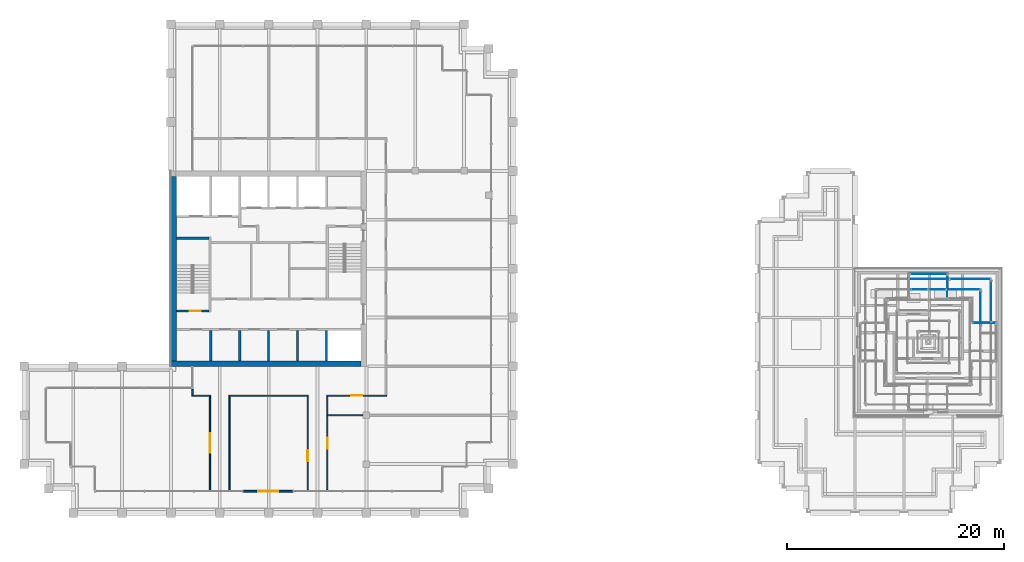
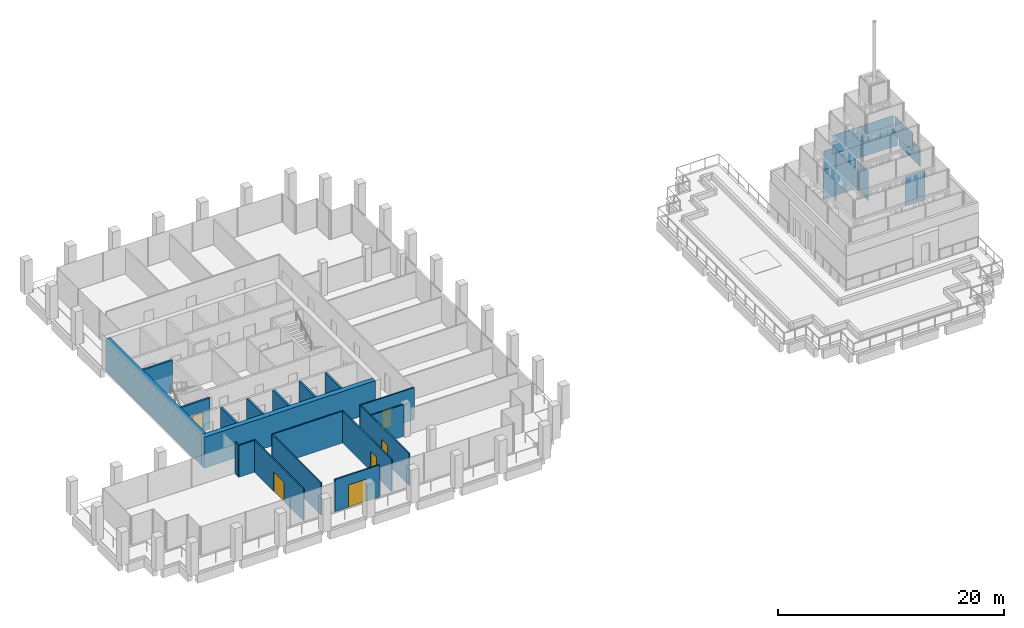
# One storey, part 54 of 62: 19 walls, 9 plates, 6 doors, 6 openings, 7 elements without a shape of their own.
"""IFC4 building model written with IfcOpenShell, lengths in metres."""

from ifc_helpers import new_model, si_unit, direction, frame, frame_2d, origin, origin_2d, place, context, subcontext, project, spatial, rectangle, extrude, material, layer, layer_set, type_object, element, fill, aggregate, save


model = new_model("IFC4")

# Units and contexts
model_context = context("Model", 3, precision=1e-05, world=origin(), true_north=direction((0.0, 1.0)))
body_context = subcontext(model_context, "Body", "Model", "MODEL_VIEW")
ifc_project = project(units=[si_unit("LENGTHUNIT", "METRE"), si_unit("AREAUNIT", "SQUARE_METRE"), si_unit("VOLUMEUNIT", "CUBIC_METRE"), si_unit("PLANEANGLEUNIT", "RADIAN"), si_unit("MASSUNIT", "GRAM", prefix="KILO")], contexts=[model_context])

# Site, building, storey
site_placement = place(None, origin())
site = spatial("IfcSite", under=ifc_project, at=site_placement, CompositionType="ELEMENT")
building_placement = place(site_placement, origin())
building = spatial("IfcBuilding", under=site, at=building_placement, Name="Altepetl Exchange Towers", CompositionType="ELEMENT")
storey_placement = place(building_placement, frame((0.0, 0.0, 210.0)))
storey = spatial("IfcBuildingStorey", under=building, at=storey_placement, Name="L53", CompositionType="ELEMENT", Elevation=210.0)

# Curtain wall, plate
ifc_material_1 = material(Name="Aluminium 6063-T6 glazing", Category="aluminium")
curtain_wall_type_1 = type_object("IfcCurtainWallType", Name="Loggia glazing system", PredefinedType="NOTDEFINED", material=ifc_material_1)
curtain_wall_1_placement = place(storey_placement, origin())
curtain_wall_1 = element("IfcCurtainWall", 1, at=curtain_wall_1_placement, inside=storey, type_object=curtain_wall_type_1, Name="CW1 run", PredefinedType="NOTDEFINED")
ifc_material_2 = material(Name="Glass 6-16-6 low emissivity", Category="glass")
ifc_layer_1 = layer(ifc_material_2, 0.028076171875)
ifc_layer_set_1 = layer_set([ifc_layer_1], Name="Glass 6-16-6 low emissivity")
plate_type_1 = type_object("IfcPlateType", Name="Glass panel 28 double glazed", PredefinedType="CURTAIN_PANEL", material=ifc_layer_set_1)
plate_1_placement = place(storey_placement, frame((115.41259765625, 44.5, 0.0), z_axis=(0.0, 0.0, 1.0), x_axis=(-1.0, 0.0, 0.0)))
plate_1 = element("IfcPlate", 2, at=plate_1_placement, type_object=plate_type_1, Name="GP1 panel", PredefinedType="CURTAIN_PANEL", context=body_context, shape_type="SweptSolid", body=[
    extrude(rectangle(XDim=2.054931640625, YDim=0.028076171875, at=origin_2d()), origin(), (0.0, 0.0, 1.0), 3.199951171875),
])
aggregate(curtain_wall_1, [plate_1])

curtain_wall_2_placement = place(storey_placement, origin())
curtain_wall_2 = element("IfcCurtainWall", 3, at=curtain_wall_2_placement, inside=storey, type_object=curtain_wall_type_1, Name="CW1 run", PredefinedType="NOTDEFINED")
plate_2_placement = place(storey_placement, frame((112.0, 47.83740234375, 0.0), z_axis=(0.0, 0.0, 1.0), x_axis=(0.0, 1.0, 0.0)))
plate_2 = element("IfcPlate", 4, at=plate_2_placement, type_object=plate_type_1, Name="GP1 panel", PredefinedType="CURTAIN_PANEL", context=body_context, shape_type="SweptSolid", body=[
    extrude(rectangle(XDim=2.054931640625, YDim=0.028076171875, at=origin_2d()), origin(), (0.0, 0.0, 1.0), 3.199951171875),
])
aggregate(curtain_wall_2, [plate_2])

curtain_wall_3_placement = place(storey_placement, origin())
curtain_wall_3 = element("IfcCurtainWall", 5, at=curtain_wall_3_placement, inside=storey, type_object=curtain_wall_type_1, Name="CW1 run", PredefinedType="NOTDEFINED")
plate_3_placement = place(storey_placement, frame((110.28759765625, 49.0, 0.0), z_axis=(0.0, 0.0, 1.0), x_axis=(-1.0, 0.0, 0.0)))
plate_3 = element("IfcPlate", 6, at=plate_3_placement, type_object=plate_type_1, Name="GP1 panel", PredefinedType="CURTAIN_PANEL", context=body_context, shape_type="SweptSolid", body=[
    extrude(rectangle(XDim=3.304931640625, YDim=0.028076171875, at=origin_2d()), origin(), (0.0, 0.0, 1.0), 3.199951171875),
])
aggregate(curtain_wall_3, [plate_3])

curtain_wall_type_2 = type_object("IfcCurtainWallType", Name="Crown glazing system", PredefinedType="NOTDEFINED", material=ifc_material_1)
curtain_wall_4_placement = place(storey_placement, origin())
curtain_wall_4 = element("IfcCurtainWall", 7, at=curtain_wall_4_placement, inside=storey, type_object=curtain_wall_type_2, Name="CW7 run", PredefinedType="NOTDEFINED")
ifc_material_3 = material(Name="Glass 8-20-8 solar control", Category="glass")
ifc_layer_2 = layer(ifc_material_3, 0.035888671875)
ifc_layer_set_2 = layer_set([ifc_layer_2], Name="Glass 8-20-8 solar control")
plate_type_2 = type_object("IfcPlateType", Name="Glass panel 36 double glazed", PredefinedType="CURTAIN_PANEL", material=ifc_layer_set_2)
plate_4_placement = place(storey_placement, frame((116.03564453125, 46.50390625, 3.60009765625), z_axis=(0.0, 0.0, 1.0), x_axis=(0.0, 1.0, 0.0)))
plate_4 = element("IfcPlate", 8, at=plate_4_placement, type_object=plate_type_2, Name="GP2 panel", PredefinedType="CURTAIN_PANEL", context=body_context, shape_type="SweptSolid", body=[
    extrude(rectangle(XDim=3.703857421875, YDim=0.035888671875, at=origin_2d()), origin(), (0.0, 0.0, 1.0), 2.0),
])
aggregate(curtain_wall_4, [plate_4])

# Curtain wall, plates
curtain_wall_5_placement = place(storey_placement, origin())
curtain_wall_5 = element("IfcCurtainWall", 9, at=curtain_wall_5_placement, inside=storey, type_object=curtain_wall_type_2, Name="CW7 run", PredefinedType="NOTDEFINED")
plate_5_placement = place(storey_placement, frame((114.103759765625, 48.53564453125, 3.60009765625), z_axis=(0.0, 0.0, 1.0), x_axis=(-1.0, 0.0, 0.0)))
plate_5 = element("IfcPlate", 10, at=plate_5_placement, type_object=plate_type_2, Name="GP2 panel", PredefinedType="CURTAIN_PANEL", context=body_context, shape_type="SweptSolid", body=[
    extrude(rectangle(XDim=3.703857421875, YDim=0.035888671875, at=origin_2d()), origin(), (0.0, 0.0, 1.0), 2.0),
])
plate_6_placement = place(storey_placement, frame((110.300048828125, 48.53564453125, 3.60009765625), z_axis=(0.0, 0.0, 1.0), x_axis=(-1.0, 0.0, 0.0)))
plate_6 = element("IfcPlate", 11, at=plate_6_placement, type_object=plate_type_2, Name="GP2 panel", PredefinedType="CURTAIN_PANEL", context=body_context, shape_type="SweptSolid", body=[
    extrude(rectangle(XDim=3.743896484375, YDim=0.035888671875, at=origin_2d()), origin(), (0.0, 0.0, 1.0), 2.0),
])
aggregate(curtain_wall_5, [plate_5, plate_6])

# Curtain wall, plate
curtain_wall_6_placement = place(storey_placement, origin())
curtain_wall_6 = element("IfcCurtainWall", 12, at=curtain_wall_6_placement, inside=storey, type_object=curtain_wall_type_2, Name="CW7 run", PredefinedType="NOTDEFINED")
plate_7_placement = place(storey_placement, frame((115.071533203125, 45.86083984375, 5.75), z_axis=(0.0, 0.0, 1.0), x_axis=(0.0, 1.0, 0.0)))
plate_7 = element("IfcPlate", 13, at=plate_7_placement, type_object=plate_type_2, Name="GP2 panel", PredefinedType="CURTAIN_PANEL", context=body_context, shape_type="SweptSolid", body=[
    extrude(rectangle(XDim=3.06103515625, YDim=0.035888671875, at=origin_2d()), origin(), (0.0, 0.0, 1.0), 2.0),
])
aggregate(curtain_wall_6, [plate_7])

# Curtain wall, plates
curtain_wall_7_placement = place(storey_placement, origin())
curtain_wall_7 = element("IfcCurtainWall", 14, at=curtain_wall_7_placement, inside=storey, type_object=curtain_wall_type_2, Name="CW7 run", PredefinedType="NOTDEFINED")
plate_8_placement = place(storey_placement, frame((113.4609375, 47.571533203125, 5.75), z_axis=(0.0, 0.0, 1.0), x_axis=(-1.0, 0.0, 0.0)))
plate_8 = element("IfcPlate", 15, at=plate_8_placement, type_object=plate_type_2, Name="GP2 panel", PredefinedType="CURTAIN_PANEL", context=body_context, shape_type="SweptSolid", body=[
    extrude(rectangle(XDim=3.06103515625, YDim=0.035888671875, at=origin_2d()), origin(), (0.0, 0.0, 1.0), 2.0),
])
plate_9_placement = place(storey_placement, frame((110.300048828125, 47.571533203125, 5.75), z_axis=(0.0, 0.0, 1.0), x_axis=(-1.0, 0.0, 0.0)))
plate_9 = element("IfcPlate", 16, at=plate_9_placement, type_object=plate_type_2, Name="GP2 panel", PredefinedType="CURTAIN_PANEL", context=body_context, shape_type="SweptSolid", body=[
    extrude(rectangle(XDim=3.10107421875, YDim=0.035888671875, at=origin_2d()), origin(), (0.0, 0.0, 1.0), 2.0),
])
aggregate(curtain_wall_7, [plate_8, plate_9])

# Walls
ifc_material_4 = material(Name="Concrete C70/85", Category="concrete")
ifc_layer_3 = layer(ifc_material_4, 0.5)
ifc_layer_set_3 = layer_set([ifc_layer_3], Name="Concrete C70/85")
wall_type_1 = type_object("IfcWallType", Name="Core wall 500 reinforced concrete", PredefinedType="SHEAR", material=ifc_layer_set_3)
wall_1_placement = place(storey_placement, frame((40.5, 40.75, 0.0)))
element("IfcWall", 17, at=wall_1_placement, inside=storey, type_object=wall_type_1, Name="wall:A:L53:K-coreS", PredefinedType="SHEAR", context=body_context, shape_type="SweptSolid", body=[
    extrude(rectangle(XDim=17.5, YDim=0.5, at=frame_2d((8.75, 0.0))), origin(), (0.0, 0.0, 1.0), 3.35009765625),
])
ifc_layer_4 = layer(ifc_material_4, 0.5)
ifc_layer_set_4 = layer_set([ifc_layer_4], Name="Concrete C70/85")
wall_type_2 = type_object("IfcWallType", Name="Core wall 500 reinforced concrete external", PredefinedType="SHEAR", material=ifc_layer_set_4)
wall_2_placement = place(storey_placement, frame((40.75, 41.0, 0.0), z_axis=(0.0, 0.0, 1.0), x_axis=(0.0, 1.0, 0.0)))
element("IfcWall", 18, at=wall_2_placement, inside=storey, type_object=wall_type_2, Name="wall:A:L53:K-coreW", PredefinedType="SHEAR", context=body_context, shape_type="SweptSolid", body=[
    extrude(rectangle(XDim=17.0, YDim=0.5, at=frame_2d((8.5, 0.0))), origin(), (0.0, 0.0, 1.0), 3.35009765625),
])

# Wall, opening, door
ifc_material_5 = material(Name="Aluminium composite cladding", Category="aluminium")
ifc_layer_5 = layer(ifc_material_5, 0.14990234375)
ifc_layer_set_5 = layer_set([ifc_layer_5], Name="Aluminium composite cladding")
wall_type_3 = type_object("IfcWallType", Name="Infill wall 150 aluminium panel", PredefinedType="SOLIDWALL", material=ifc_layer_set_5)
wall_3_placement = place(storey_placement, frame((47.18212890625, 29.0, 0.0)))
wall_3 = element("IfcWall", 19, at=wall_3_placement, inside=storey, type_object=wall_type_3, Name="Loggia door bay wall", PredefinedType="SOLIDWALL", context=body_context, shape_type="SweptSolid", body=[
    extrude(rectangle(XDim=4.560791015625, YDim=0.14990234375, at=frame_2d((2.2802734375, 0.0))), origin(), (0.0, 0.0, 1.0), 3.449951171875),
])
opening_1_placement = place(wall_3_placement, frame((1.38037109375, 0.0, 0.0)))
opening_1 = element("IfcOpeningElement", 20, at=opening_1_placement, cuts=wall_3, Name="Opening L53.A90", PredefinedType="OPENING", context=body_context, shape_type="SweptSolid", body=[
    extrude(rectangle(XDim=1.800048828125, YDim=2.39990234375, at=frame_2d((0.89990234375, 1.199951171875))), frame((0.0, 0.0849609375, 0.0), z_axis=(0.0, -1.0, 0.0), x_axis=(1.0, 0.0, 0.0)), (0.0, 0.0, 1.0), 0.169921875),
])
ifc_material_6 = material(Name="Aluminium 6063-T6 and glass", Category="aluminium")
door_type_1 = type_object("IfcDoorType", Name="Glazed door pair 1800x2400", OperationType="DOUBLE_DOOR_DOUBLE_SWING", PredefinedType="NOTDEFINED", material=ifc_material_6)
door_1_placement = place(opening_1_placement, frame((1.800048828125, 0.0, 0.0), x_axis=(-1.0, 0.0, 0.0)))
door_1 = element("IfcDoor", 21, at=door_1_placement, inside=storey, type_object=door_type_1, Name="Loggia door", OperationType="DOUBLE_DOOR_DOUBLE_SWING", OverallHeight=2.39990234375, OverallWidth=1.800048828125, PredefinedType="NOTDEFINED", context=body_context, shape_type="SweptSolid", body=[
    extrude(rectangle(XDim=1.800048828125, YDim=2.39990234375, at=frame_2d((0.89990234375, 1.199951171875))), frame((0.0, 0.02490234375, 0.0), z_axis=(0.0, -1.0, 0.0), x_axis=(1.0, 0.0, 0.0)), (0.0, 0.0, 1.0), 0.050048828125),
])
fill(opening_1, door_1)

# Walls
ifc_material_7 = material(Name="Gypsum board on steel studs", Category="steel")
ifc_layer_6 = layer(ifc_material_7, 0.125)
ifc_layer_set_6 = layer_set([ifc_layer_6], Name="Gypsum board on steel studs")
wall_type_4 = type_object("IfcWallType", Name="Partition 125 gypsum board on steel studs", PredefinedType="PARTITIONING", material=ifc_layer_set_6)
wall_4_placement = place(storey_placement, frame((54.89990234375, 36.0, 0.0)))
element("IfcWall", 22, at=wall_4_placement, inside=storey, type_object=wall_type_4, Name="wall:A:L53:P01", PredefinedType="PARTITIONING", context=body_context, shape_type="SweptSolid", body=[
    extrude(rectangle(XDim=3.300048828125, YDim=0.125, at=frame_2d((1.64990234375, 0.0))), origin(), (0.0, 0.0, 1.0), 3.449951171875),
])
wall_5_placement = place(storey_placement, frame((42.4375, 37.800048828125, 0.0)))
element("IfcWall", 23, at=wall_5_placement, inside=storey, type_object=wall_type_4, Name="wall:A:L53:P03", PredefinedType="PARTITIONING", context=body_context, shape_type="SweptSolid", body=[
    extrude(rectangle(XDim=1.72509765625, YDim=0.125, at=frame_2d((0.862548828125, 0.0))), origin(), (0.0, 0.0, 1.0), 3.449951171875),
])
wall_6_placement = place(storey_placement, frame((45.83740234375, 37.800048828125, 0.0)))
element("IfcWall", 24, at=wall_6_placement, inside=storey, type_object=wall_type_4, Name="wall:A:L53:P04", PredefinedType="PARTITIONING", context=body_context, shape_type="SweptSolid", body=[
    extrude(rectangle(XDim=7.3251953125, YDim=0.125, at=frame_2d((3.66259765625, 0.0))), origin(), (0.0, 0.0, 1.0), 3.449951171875),
])

# Wall, opening, door
wall_7_placement = place(storey_placement, frame((54.83740234375, 37.800048828125, 0.0)))
wall_7 = element("IfcWall", 25, at=wall_7_placement, inside=storey, type_object=wall_type_4, Name="wall:A:L53:P05", PredefinedType="PARTITIONING", context=body_context, shape_type="SweptSolid", body=[
    extrude(rectangle(XDim=5.525146484375, YDim=0.125, at=frame_2d((2.7626953125, 0.0))), origin(), (0.0, 0.0, 1.0), 3.449951171875),
])
opening_2_placement = place(wall_7_placement, frame((2.262451171875, 0.0, 0.0)))
opening_2 = element("IfcOpeningElement", 26, at=opening_2_placement, cuts=wall_7, Name="Opening L53.A04", PredefinedType="OPENING", context=body_context, shape_type="SweptSolid", body=[
    extrude(rectangle(XDim=1.0, YDim=2.10009765625, at=frame_2d((0.5, 1.050048828125))), frame((0.0, 0.072509765625, 0.0), z_axis=(0.0, -1.0, 0.0), x_axis=(1.0, 0.0, 0.0)), (0.0, 0.0, 1.0), 0.14501953125),
])
ifc_material_8 = material(Name="Steel and timber fire door", Category="steel")
door_type_2 = type_object("IfcDoorType", Name="Fire door 1000 x 2100 single leaf", OperationType="SINGLE_SWING_LEFT", PredefinedType="DOOR", material=ifc_material_8)
door_2_placement = place(opening_2_placement, origin())
door_2 = element("IfcDoor", 27, at=door_2_placement, inside=storey, type_object=door_type_2, Name="door:A:L53:04", OperationType="SINGLE_SWING_LEFT", OverallHeight=2.10009765625, OverallWidth=1.0, PredefinedType="DOOR", context=body_context, shape_type="SweptSolid", body=[
    extrude(rectangle(XDim=1.0, YDim=2.10009765625, at=frame_2d((0.5, 1.050048828125))), frame((0.0, 0.02490234375, 0.0), z_axis=(0.0, -1.0, 0.0), x_axis=(1.0, 0.0, 0.0)), (0.0, 0.0, 1.0), 0.050048828125),
])
fill(opening_2, door_2)

# Wall
wall_8_placement = place(storey_placement, frame((42.5, 37.862548828125, 0.0), z_axis=(0.0, 0.0, 1.0), x_axis=(0.0, 1.0, 0.0)))
element("IfcWall", 28, at=wall_8_placement, inside=storey, type_object=wall_type_4, Name="wall:A:L53:P14", PredefinedType="PARTITIONING", context=body_context, shape_type="SweptSolid", body=[
    extrude(rectangle(XDim=0.537353515625, YDim=0.125, at=frame_2d((0.2685546875, 0.0))), origin(), (0.0, 0.0, 1.0), 3.449951171875),
])

# Wall, opening, door
wall_9_placement = place(storey_placement, frame((44.10009765625, 29.10009765625, 0.0), z_axis=(0.0, 0.0, 1.0), x_axis=(0.0, 1.0, 0.0)))
wall_9 = element("IfcWall", 29, at=wall_9_placement, inside=storey, type_object=wall_type_4, Name="wall:A:L53:P15", PredefinedType="PARTITIONING", context=body_context, shape_type="SweptSolid", body=[
    extrude(rectangle(XDim=8.637451171875, YDim=0.125, at=frame_2d((4.31884765625, 0.0))), origin(), (0.0, 0.0, 1.0), 3.449951171875),
])
opening_3_placement = place(wall_9_placement, frame((3.449951171875, 0.0, 0.0)))
opening_3 = element("IfcOpeningElement", 30, at=opening_3_placement, cuts=wall_9, Name="Opening L53.A01", PredefinedType="OPENING", context=body_context, shape_type="SweptSolid", body=[
    extrude(rectangle(XDim=1.800048828125, YDim=2.10009765625, at=frame_2d((0.89990234375, 1.050048828125))), frame((0.0, 0.072509765625, 0.0), z_axis=(0.0, -1.0, 0.0), x_axis=(1.0, 0.0, 0.0)), (0.0, 0.0, 1.0), 0.14501953125),
])
door_type_3 = type_object("IfcDoorType", Name="Fire door 1800 x 2100 double leaf", OperationType="DOUBLE_DOOR_SINGLE_SWING", PredefinedType="DOOR", material=ifc_material_8)
door_3_placement = place(opening_3_placement, origin())
door_3 = element("IfcDoor", 31, at=door_3_placement, inside=storey, type_object=door_type_3, Name="door:A:L53:01", OperationType="DOUBLE_DOOR_SINGLE_SWING", OverallHeight=2.10009765625, OverallWidth=1.800048828125, PredefinedType="DOOR", context=body_context, shape_type="SweptSolid", body=[
    extrude(rectangle(XDim=1.800048828125, YDim=2.10009765625, at=frame_2d((0.89990234375, 1.050048828125))), frame((0.0, 0.02490234375, 0.0), z_axis=(0.0, -1.0, 0.0), x_axis=(1.0, 0.0, 0.0)), (0.0, 0.0, 1.0), 0.050048828125),
])
fill(opening_3, door_3)

# Wall
wall_10_placement = place(storey_placement, frame((45.89990234375, 29.10009765625, 0.0), z_axis=(0.0, 0.0, 1.0), x_axis=(0.0, 1.0, 0.0)))
element("IfcWall", 32, at=wall_10_placement, inside=storey, type_object=wall_type_4, Name="wall:A:L53:P16", PredefinedType="PARTITIONING", context=body_context, shape_type="SweptSolid", body=[
    extrude(rectangle(XDim=8.637451171875, YDim=0.125, at=frame_2d((4.31884765625, 0.0))), origin(), (0.0, 0.0, 1.0), 3.449951171875),
])

# Wall, opening, door
wall_11_placement = place(storey_placement, frame((53.10009765625, 29.10009765625, 0.0), z_axis=(0.0, 0.0, 1.0), x_axis=(0.0, 1.0, 0.0)))
wall_11 = element("IfcWall", 33, at=wall_11_placement, inside=storey, type_object=wall_type_4, Name="wall:A:L53:P18", PredefinedType="PARTITIONING", context=body_context, shape_type="SweptSolid", body=[
    extrude(rectangle(XDim=8.637451171875, YDim=0.125, at=frame_2d((4.31884765625, 0.0))), origin(), (0.0, 0.0, 1.0), 3.449951171875),
])
opening_4_placement = place(wall_11_placement, frame((2.659912109375, 0.0, 0.0)))
opening_4 = element("IfcOpeningElement", 34, at=opening_4_placement, cuts=wall_11, Name="Opening L53.A02", PredefinedType="OPENING", context=body_context, shape_type="SweptSolid", body=[
    extrude(rectangle(XDim=1.0, YDim=2.10009765625, at=frame_2d((0.5, 1.050048828125))), frame((0.0, 0.072509765625, 0.0), z_axis=(0.0, -1.0, 0.0), x_axis=(1.0, 0.0, 0.0)), (0.0, 0.0, 1.0), 0.14501953125),
])
door_4_placement = place(opening_4_placement, origin())
door_4 = element("IfcDoor", 35, at=door_4_placement, inside=storey, type_object=door_type_2, Name="door:A:L53:02", OperationType="SINGLE_SWING_RIGHT", OverallHeight=2.10009765625, OverallWidth=1.0, PredefinedType="DOOR", context=body_context, shape_type="SweptSolid", body=[
    extrude(rectangle(XDim=1.0, YDim=2.10009765625, at=frame_2d((0.5, 1.050048828125))), frame((0.0, 0.02490234375, 0.0), z_axis=(0.0, -1.0, 0.0), x_axis=(1.0, 0.0, 0.0)), (0.0, 0.0, 1.0), 0.050048828125),
])
fill(opening_4, door_4)

wall_12_placement = place(storey_placement, frame((54.89990234375, 29.10009765625, 0.0), z_axis=(0.0, 0.0, 1.0), x_axis=(0.0, 1.0, 0.0)))
wall_12 = element("IfcWall", 36, at=wall_12_placement, inside=storey, type_object=wall_type_4, Name="wall:A:L53:P20", PredefinedType="PARTITIONING", context=body_context, shape_type="SweptSolid", body=[
    extrude(rectangle(XDim=8.637451171875, YDim=0.125, at=frame_2d((4.31884765625, 0.0))), origin(), (0.0, 0.0, 1.0), 3.449951171875),
])
opening_5_placement = place(wall_12_placement, frame((3.824951171875, 0.0, 0.0)))
opening_5 = element("IfcOpeningElement", 37, at=opening_5_placement, cuts=wall_12, Name="Opening L53.A03", PredefinedType="OPENING", context=body_context, shape_type="SweptSolid", body=[
    extrude(rectangle(XDim=1.0, YDim=2.10009765625, at=frame_2d((0.5, 1.050048828125))), frame((0.0, 0.072509765625, 0.0), z_axis=(0.0, -1.0, 0.0), x_axis=(1.0, 0.0, 0.0)), (0.0, 0.0, 1.0), 0.14501953125),
])
door_5_placement = place(opening_5_placement, frame((1.0, 0.0, 0.0), x_axis=(-1.0, 0.0, 0.0)))
door_5 = element("IfcDoor", 38, at=door_5_placement, inside=storey, type_object=door_type_2, Name="door:A:L53:03", OperationType="SINGLE_SWING_LEFT", OverallHeight=2.10009765625, OverallWidth=1.0, PredefinedType="DOOR", context=body_context, shape_type="SweptSolid", body=[
    extrude(rectangle(XDim=1.0, YDim=2.10009765625, at=frame_2d((0.5, 1.050048828125))), frame((0.0, 0.02490234375, 0.0), z_axis=(0.0, -1.0, 0.0), x_axis=(1.0, 0.0, 0.0)), (0.0, 0.0, 1.0), 0.050048828125),
])
fill(opening_5, door_5)

# Walls
ifc_material_9 = material(Name="Concrete C40/50", Category="concrete")
ifc_layer_7 = layer(ifc_material_9, 0.199951171875)
ifc_layer_set_7 = layer_set([ifc_layer_7], Name="Concrete C40/50")
wall_type_5 = type_object("IfcWallType", Name="Shaft wall 200 reinforced concrete", PredefinedType="SHEAR", material=ifc_layer_set_7)
wall_13_placement = place(storey_placement, frame((54.833251953125, 41.0, 0.0), z_axis=(0.0, 0.0, 1.0), x_axis=(0.0, 1.0, 0.0)))
element("IfcWall", 39, at=wall_13_placement, inside=storey, type_object=wall_type_5, Name="wall:A:L53:K-divS5", PredefinedType="SHEAR", context=body_context, shape_type="SweptSolid", body=[
    extrude(rectangle(XDim=2.800048828125, YDim=0.199951171875, at=frame_2d((1.39990234375, 0.0))), origin(), (0.0, 0.0, 1.0), 3.35009765625),
])
ifc_layer_8 = layer(ifc_material_4, 0.199951171875)
ifc_layer_set_8 = layer_set([ifc_layer_8], Name="Concrete C70/85")
wall_type_6 = type_object("IfcWallType", Name="Shear wall 200 reinforced concrete", PredefinedType="SHEAR", material=ifc_layer_set_8)
for number, where, z_axis, x_axis, name in (
    (40, (44.166748046875, 41.0, 0.0), (0.0, 0.0, 1.0), (0.0, 1.0, 0.0), "wall:A:L53:K-divS1"),
    (41, (46.833251953125, 41.0, 0.0), (0.0, 0.0, 1.0), (0.0, 1.0, 0.0), "wall:A:L53:K-divS2"),
    (42, (49.5, 41.0, 0.0), (0.0, 0.0, 1.0), (0.0, 1.0, 0.0), "wall:A:L53:K-divS3"),
    (43, (52.166748046875, 41.0, 0.0), (0.0, 0.0, 1.0), (0.0, 1.0, 0.0), "wall:A:L53:K-divS4"),
):
    element("IfcWall", number, at=place(storey_placement, frame(where, z_axis=z_axis, x_axis=x_axis)), inside=storey, type_object=wall_type_6, Name=name, PredefinedType="SHEAR", context=body_context, shape_type="SweptSolid", body=[
        extrude(rectangle(XDim=2.800048828125, YDim=0.199951171875, at=frame_2d((1.39990234375, 0.0))), origin(), (0.0, 0.0, 1.0), 3.35009765625),
    ])
ifc_layer_9 = layer(ifc_material_9, 0.199951171875)
ifc_layer_set_9 = layer_set([ifc_layer_9], Name="Concrete C40/50")
wall_type_7 = type_object("IfcWallType", Name="Stair wall 200 reinforced concrete", PredefinedType="SHEAR", material=ifc_layer_set_9)
wall_14_placement = place(storey_placement, frame((41.0, 52.300048828125, 0.0)))
element("IfcWall", 44, at=wall_14_placement, inside=storey, type_object=wall_type_7, Name="wall:A:L53:K-stS1N", PredefinedType="SHEAR", context=body_context, shape_type="SweptSolid", body=[
    extrude(rectangle(XDim=3.0, YDim=0.199951171875, at=frame_2d((1.5, 0.0))), origin(), (0.0, 0.0, 1.0), 3.35009765625),
])

# Wall, opening, door
wall_15_placement = place(storey_placement, frame((41.0, 45.60009765625, 0.0)))
wall_15 = element("IfcWall", 45, at=wall_15_placement, inside=storey, type_object=wall_type_7, Name="wall:A:L53:K-stS1S", PredefinedType="SHEAR", context=body_context, shape_type="SweptSolid", body=[
    extrude(rectangle(XDim=3.0, YDim=0.199951171875, at=frame_2d((1.5, 0.0))), origin(), (0.0, 0.0, 1.0), 3.35009765625),
])
opening_6_placement = place(wall_15_placement, frame((1.25, 0.0, 0.0)))
opening_6 = element("IfcOpeningElement", 46, at=opening_6_placement, cuts=wall_15, Name="Opening L53.A62", PredefinedType="OPENING", context=body_context, shape_type="SweptSolid", body=[
    extrude(rectangle(XDim=1.0, YDim=2.10009765625, at=frame_2d((0.5, 1.050048828125))), frame((0.0, 0.10986328125, 0.0), z_axis=(0.0, -1.0, 0.0), x_axis=(1.0, 0.0, 0.0)), (0.0, 0.0, 1.0), 0.219970703125),
])
door_type_4 = type_object("IfcDoorType", Name="Fire door 1000 x 2100 stair and lobby", OperationType="SINGLE_SWING_LEFT", PredefinedType="DOOR", material=ifc_material_8)
door_6_placement = place(opening_6_placement, origin())
door_6 = element("IfcDoor", 47, at=door_6_placement, inside=storey, type_object=door_type_4, Name="door:A:L53:K-dS1in", OperationType="SINGLE_SWING_RIGHT", OverallHeight=2.10009765625, OverallWidth=1.0, PredefinedType="DOOR", context=body_context, shape_type="SweptSolid", body=[
    extrude(rectangle(XDim=1.0, YDim=2.10009765625, at=frame_2d((0.5, 1.050048828125))), frame((0.0, 0.02490234375, 0.0), z_axis=(0.0, -1.0, 0.0), x_axis=(1.0, 0.0, 0.0)), (0.0, 0.0, 1.0), 0.050048828125),
])
fill(opening_6, door_6)

save(model, "model.ifc")
